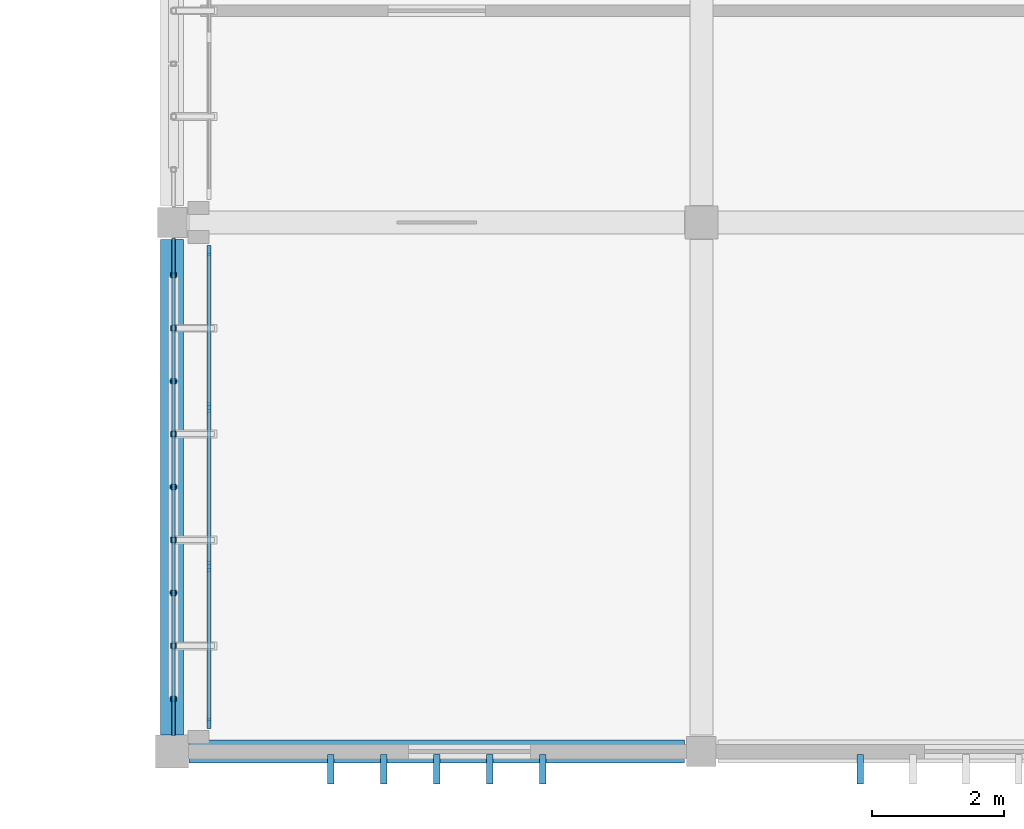
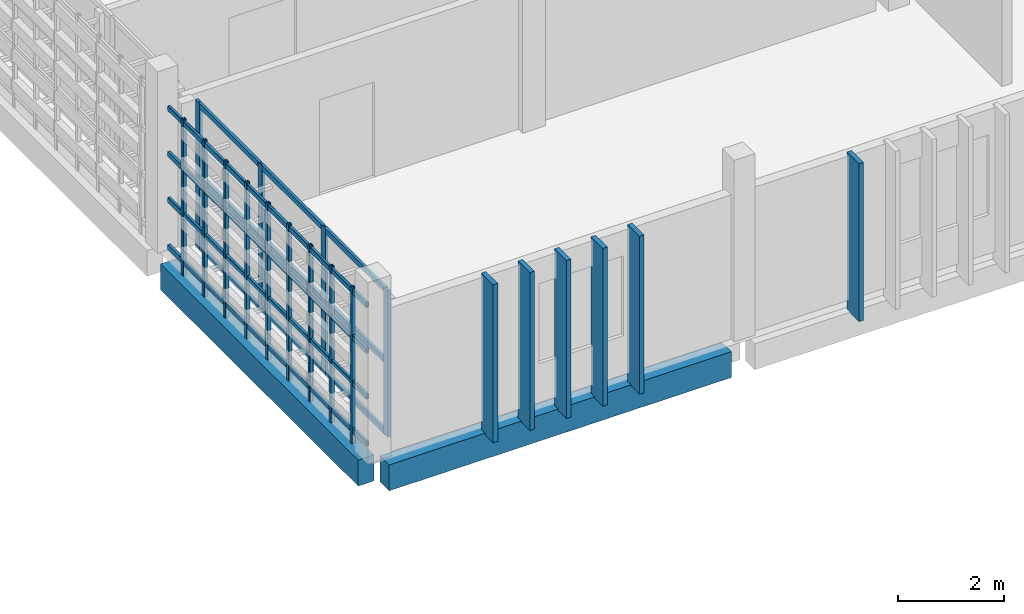
# One storey, part 6 of 32: 32 members, 2 beams, 1 element without a shape of its own.
"""IFC4 building model written with IfcOpenShell, lengths in metres."""

from ifc_helpers import new_model, si_unit, direction, frame, origin, origin_2d, place, context, subcontext, project, spatial, rectangle, hollow_rectangle, extrude, material, layer, layer_set, material_profile, profile_set, type_object, element, aggregate, save


model = new_model("IFC4")

# Units and contexts
model_context = context("Model", 3, precision=1e-05, world=origin(), true_north=direction((0.0, 1.0)))
body_context = subcontext(model_context, "Body", "Model", "MODEL_VIEW")
ifc_project = project(units=[si_unit("LENGTHUNIT", "METRE"), si_unit("AREAUNIT", "SQUARE_METRE"), si_unit("VOLUMEUNIT", "CUBIC_METRE"), si_unit("PLANEANGLEUNIT", "RADIAN"), si_unit("MASSUNIT", "GRAM", prefix="KILO")], contexts=[model_context])

# Site, building, storey
site_placement = place(None, origin())
site = spatial("IfcSite", under=ifc_project, at=site_placement, CompositionType="ELEMENT")
building_placement = place(site_placement, origin())
building = spatial("IfcBuilding", under=site, at=building_placement, Name="Jelvoka-Kovrelna Polytechnic", CompositionType="ELEMENT")
storey_placement = place(building_placement, frame((0.0, 0.0, 26.39990234375)))
storey = spatial("IfcBuildingStorey", under=building, at=storey_placement, Name="L07", CompositionType="ELEMENT", Elevation=26.39990234375)

# Beam
ifc_material_1 = material(Name="Concrete C35/45", Category="concrete")
ifc_material_profile_1 = material_profile(ifc_material_1, rectangle(XDim=0.35009765625, YDim=0.60009765625, at=origin_2d()), Name="RC 350x600")
ifc_profile_set_1 = profile_set([ifc_material_profile_1], Name="Concrete C35/45")
beam_type_1 = type_object("IfcBeamType", Name="Beam_RC_350x600", PredefinedType="BEAM", material=ifc_profile_set_1)
beam_1_placement = place(storey_placement, frame((128.0, 32.2548828125, -0.539794921875), z_axis=(0.0, 1.0, 0.0), x_axis=(-1.0, 0.0, 0.0)))
element("IfcBeam", 1, at=beam_1_placement, inside=storey, type_object=beam_type_1, Name="L07 beam 1811", PredefinedType="BEAM", context=body_context, shape_type="SweptSolid", body=[
    extrude(rectangle(XDim=0.35009765625, YDim=0.60009765625, at=origin_2d()), origin(), (0.0, 0.0, 1.0), 7.490234375),
])

# Members
ifc_material_2 = material(Name="Precast concrete C40/50", Category="concrete")
ifc_material_profile_2 = material_profile(ifc_material_2, rectangle(XDim=0.10009765625, YDim=0.449951171875, at=origin_2d()), Name="PC 100x450")
ifc_profile_set_2 = profile_set([ifc_material_profile_2], Name="Precast concrete C40/50")
member_type_1 = type_object("IfcMemberType", Name="Louvre_Fin_100x450", PredefinedType="USERDEFINED", material=ifc_profile_set_2)
for number, where, z_axis, x_axis, name in (
    (2, (130.39990234375, 31.735107421875, -0.27001953125), (0.0, 0.0, 1.0), (1.0, 0.0, 0.0), "L07 B2E south vertical solar louvre fin 1151"),
    (3, (131.199951171875, 31.735107421875, -0.27001953125), (0.0, 0.0, 1.0), (1.0, 0.0, 0.0), "L07 B2E south vertical solar louvre fin 1152"),
    (4, (132.0, 31.735107421875, -0.27001953125), (0.0, 0.0, 1.0), (1.0, 0.0, 0.0), "L07 B2E south vertical solar louvre fin 1153"),
    (5, (132.800048828125, 31.735107421875, -0.27001953125), (0.0, 0.0, 1.0), (1.0, 0.0, 0.0), "L07 B2E south vertical solar louvre fin 1154"),
    (6, (133.60009765625, 31.735107421875, -0.27001953125), (0.0, 0.0, 1.0), (1.0, 0.0, 0.0), "L07 B2E south vertical solar louvre fin 1155"),
    (7, (138.39990234375, 31.735107421875, -0.27001953125), (0.0, 0.0, 1.0), (1.0, 0.0, 0.0), "L07 B2E south vertical solar louvre fin 1161"),
):
    element("IfcMember", number, at=place(storey_placement, frame(where, z_axis=z_axis, x_axis=x_axis)), inside=storey, type_object=member_type_1, Name=name, ObjectType="SUNSHADE", PredefinedType="USERDEFINED", context=body_context, shape_type="SweptSolid", body=[
        extrude(rectangle(XDim=0.10009765625, YDim=0.449951171875, at=origin_2d()), origin(), (0.0, 0.0, 1.0), 3.655029296875),
    ])
ifc_material_3 = material(Name="Structural steel S355J2H", Category="steel")
ifc_material_profile_3 = material_profile(ifc_material_3, hollow_rectangle(XDim=0.06005859375, YDim=0.1201171875, WallThickness=0.0048828125, InnerFilletRadius=0.0048828125, OuterFilletRadius=0.007568359375, at=origin_2d()), Name="120x60x5.0 RHS")
ifc_profile_set_3 = profile_set([ifc_material_profile_3], Name="Structural steel S355J2H")
member_type_2 = type_object("IfcMemberType", Name="Member_Strut_RHS120", PredefinedType="STRUT", material=ifc_profile_set_3)
for number, where, z_axis, x_axis, name in (
    (8, (128.02001953125, 32.239990234375, 0.080078125), (0.0, 1.0, 0.0), (-1.0, 0.0, 0.0), "L07 terracotta screen horizontal strut 0586"),
    (9, (128.02001953125, 32.239990234375, 1.17138671875), (0.0, 1.0, 0.0), (-1.0, 0.0, 0.0), "L07 terracotta screen horizontal strut 0587"),
    (10, (128.02001953125, 32.239990234375, 2.230712890625), (0.0, 1.0, 0.0), (-1.0, 0.0, 0.0), "L07 terracotta screen horizontal strut 0588"),
    (11, (128.02001953125, 32.239990234375, 3.2900390625), (0.0, 1.0, 0.0), (-1.0, 0.0, 0.0), "L07 terracotta screen horizontal strut 0589"),
):
    element("IfcMember", number, at=place(storey_placement, frame(where, z_axis=z_axis, x_axis=x_axis)), inside=storey, type_object=member_type_2, Name=name, PredefinedType="STRUT", context=body_context, shape_type="SweptSolid", body=[
        extrude(hollow_rectangle(XDim=0.06005859375, YDim=0.1201171875, WallThickness=0.0048828125, InnerFilletRadius=0.0048828125, OuterFilletRadius=0.007568359375, at=origin_2d()), origin(), (0.0, 0.0, 1.0), 7.52001953125),
    ])
ifc_material_4 = material(Name="Structural steel S355J2H", Category="steel")
ifc_material_profile_4 = material_profile(ifc_material_4, hollow_rectangle(XDim=0.080078125, YDim=0.080078125, WallThickness=0.0048828125, InnerFilletRadius=0.0048828125, OuterFilletRadius=0.007568359375, at=origin_2d()), Name="80x80x5.0 SHS")
ifc_profile_set_4 = profile_set([ifc_material_profile_4], Name="Structural steel S355J2H")
member_type_3 = type_object("IfcMemberType", Name="Member_Strut_SHS80", PredefinedType="STRUT", material=ifc_profile_set_4)
for number, where, z_axis, x_axis, name in (
    (12, (128.02001953125, 32.800048828125, -0.22998046875), (0.0, 0.0, 1.0), (1.0, 0.0, 0.0), "L07 terracotta lattice vertical rib 0590"),
    (13, (128.02001953125, 33.60009765625, -0.22998046875), (0.0, 0.0, 1.0), (1.0, 0.0, 0.0), "L07 terracotta lattice vertical rib 0591"),
    (14, (128.02001953125, 34.39990234375, -0.22998046875), (0.0, 0.0, 1.0), (1.0, 0.0, 0.0), "L07 terracotta lattice vertical rib 0592"),
    (15, (128.02001953125, 35.199951171875, -0.22998046875), (0.0, 0.0, 1.0), (1.0, 0.0, 0.0), "L07 terracotta lattice vertical rib 0593"),
    (16, (128.02001953125, 36.0, -0.22998046875), (0.0, 0.0, 1.0), (1.0, 0.0, 0.0), "L07 terracotta lattice vertical rib 0594"),
    (17, (128.02001953125, 36.800048828125, -0.22998046875), (0.0, 0.0, 1.0), (1.0, 0.0, 0.0), "L07 terracotta lattice vertical rib 0595"),
    (18, (128.02001953125, 37.60009765625, -0.22998046875), (0.0, 0.0, 1.0), (1.0, 0.0, 0.0), "L07 terracotta lattice vertical rib 0596"),
    (19, (128.02001953125, 38.39990234375, -0.22998046875), (0.0, 0.0, 1.0), (1.0, 0.0, 0.0), "L07 terracotta lattice vertical rib 0597"),
    (20, (128.02001953125, 39.199951171875, -0.22998046875), (0.0, 0.0, 1.0), (1.0, 0.0, 0.0), "L07 terracotta lattice vertical rib 0598"),
):
    element("IfcMember", number, at=place(storey_placement, frame(where, z_axis=z_axis, x_axis=x_axis)), inside=storey, type_object=member_type_3, Name=name, PredefinedType="STRUT", context=body_context, shape_type="SweptSolid", body=[
        extrude(hollow_rectangle(XDim=0.080078125, YDim=0.080078125, WallThickness=0.0048828125, InnerFilletRadius=0.0048828125, OuterFilletRadius=0.007568359375, at=origin_2d()), origin(), (0.0, 0.0, 1.0), 3.610107421875),
    ])

# Curtain wall, members
ifc_material_5 = material(Name="Anodised aluminium 6063-T6", Category="aluminium")
ifc_layer = layer(ifc_material_5, 0.159912109375)
ifc_layer_set = layer_set([ifc_layer], Name="Anodised aluminium 6063-T6")
curtain_wall_type = type_object("IfcCurtainWallType", Name="CW_Recessed_A", PredefinedType="NOTDEFINED", material=ifc_layer_set)
curtain_wall_placement = place(storey_placement, origin())
curtain_wall = element("IfcCurtainWall", 21, at=curtain_wall_placement, inside=storey, type_object=curtain_wall_type, Name="L07 glazed curtain wall 078", PredefinedType="NOTDEFINED")
ifc_material_6 = material(Name="Anodised aluminium 6063-T6", Category="aluminium")
ifc_material_profile_5 = material_profile(ifc_material_6, rectangle(XDim=0.06005859375, YDim=0.159912109375, at=origin_2d()), Name="ALU 60x160")
ifc_profile_set_5 = profile_set([ifc_material_profile_5], Name="Anodised aluminium 6063-T6")
member_type_4 = type_object("IfcMemberType", Name="Mullion_M-01", PredefinedType="MULLION", material=ifc_profile_set_5)
member_1_placement = place(storey_placement, frame((128.56005859375, 32.429931640625, -0.02490234375), z_axis=(0.0, 0.0, 1.0), x_axis=(-1.0, 0.0, 0.0)))
member_1 = element("IfcMember", 22, at=member_1_placement, type_object=member_type_4, Name="CW-01 mullion 1", PredefinedType="MULLION", context=body_context, shape_type="SweptSolid", body=[
    extrude(rectangle(XDim=0.06005859375, YDim=0.159912109375, at=origin_2d()), origin(), (0.0, 0.0, 1.0), 3.400146484375),
])
member_2_placement = place(storey_placement, frame((128.56005859375, 34.800048828125, -0.02490234375), z_axis=(0.0, 0.0, 1.0), x_axis=(-1.0, 0.0, 0.0)))
member_2 = element("IfcMember", 23, at=member_2_placement, type_object=member_type_4, Name="CW-01 mullion 2", PredefinedType="MULLION", context=body_context, shape_type="SweptSolid", body=[
    extrude(rectangle(XDim=0.06005859375, YDim=0.159912109375, at=origin_2d()), origin(), (0.0, 0.0, 1.0), 3.400146484375),
])
member_3_placement = place(storey_placement, frame((128.56005859375, 37.199951171875, -0.02490234375), z_axis=(0.0, 0.0, 1.0), x_axis=(-1.0, 0.0, 0.0)))
member_3 = element("IfcMember", 24, at=member_3_placement, type_object=member_type_4, Name="CW-01 mullion 3", PredefinedType="MULLION", context=body_context, shape_type="SweptSolid", body=[
    extrude(rectangle(XDim=0.06005859375, YDim=0.159912109375, at=origin_2d()), origin(), (0.0, 0.0, 1.0), 3.400146484375),
])
member_4_placement = place(storey_placement, frame((128.56005859375, 39.570068359375, -0.02490234375), z_axis=(0.0, 0.0, 1.0), x_axis=(-1.0, 0.0, 0.0)))
member_4 = element("IfcMember", 25, at=member_4_placement, type_object=member_type_4, Name="CW-01 mullion 4", PredefinedType="MULLION", context=body_context, shape_type="SweptSolid", body=[
    extrude(rectangle(XDim=0.06005859375, YDim=0.159912109375, at=origin_2d()), origin(), (0.0, 0.0, 1.0), 3.400146484375),
])

# Beam
ifc_material_7 = material(Name="Concrete C40/50", Category="concrete")
ifc_material_profile_6 = material_profile(ifc_material_7, rectangle(XDim=0.35009765625, YDim=0.60009765625, at=origin_2d()), Name="RC 350x600")
ifc_profile_set_6 = profile_set([ifc_material_profile_6], Name="Concrete C40/50")
beam_type_2 = type_object("IfcBeamType", Name="Spandrel_RC_350x600", PredefinedType="SPANDREL", material=ifc_profile_set_6)
beam_2_placement = place(storey_placement, frame((128.2548828125, 32.0, -0.539794921875), z_axis=(1.0, 0.0, 0.0), x_axis=(0.0, 1.0, 0.0)))
element("IfcBeam", 26, at=beam_2_placement, inside=storey, type_object=beam_type_2, Name="L07 beam 1791", PredefinedType="SPANDREL", context=body_context, shape_type="SweptSolid", body=[
    extrude(rectangle(XDim=0.35009765625, YDim=0.60009765625, at=origin_2d()), origin(), (0.0, 0.0, 1.0), 7.490234375),
])

# Member
ifc_material_8 = material(Name="Anodised aluminium 6063-T6", Category="aluminium")
ifc_material_profile_7 = material_profile(ifc_material_8, rectangle(XDim=0.06005859375, YDim=0.1201171875, at=origin_2d()), Name="ALU 60x120")
ifc_profile_set_7 = profile_set([ifc_material_profile_7], Name="Anodised aluminium 6063-T6")
member_type_5 = type_object("IfcMemberType", Name="Transom_T-01", PredefinedType="USERDEFINED", material=ifc_profile_set_7)
member_5_placement = place(storey_placement, frame((128.56005859375, 32.4599609375, 0.030029296875), z_axis=(0.0, 1.0, 0.0), x_axis=(-1.0, 0.0, 0.0)))
member_5 = element("IfcMember", 27, at=member_5_placement, type_object=member_type_5, Name="CW-01 transom 1.1", ObjectType="TRANSOM", PredefinedType="USERDEFINED", context=body_context, shape_type="SweptSolid", body=[
    extrude(rectangle(XDim=0.06005859375, YDim=0.1201171875, at=origin_2d()), origin(), (0.0, 0.0, 1.0), 2.31005859375),
])

member_6_placement = place(storey_placement, frame((128.56005859375, 32.4599609375, 1.675048828125), z_axis=(0.0, 1.0, 0.0), x_axis=(-1.0, 0.0, 0.0)))
member_6 = element("IfcMember", 28, at=member_6_placement, type_object=member_type_5, Name="CW-01 transom 1.2", ObjectType="TRANSOM", PredefinedType="USERDEFINED", context=body_context, shape_type="SweptSolid", body=[
    extrude(rectangle(XDim=0.06005859375, YDim=0.1201171875, at=origin_2d()), origin(), (0.0, 0.0, 1.0), 2.31005859375),
])

member_7_placement = place(storey_placement, frame((128.56005859375, 32.4599609375, 3.320068359375), z_axis=(0.0, 1.0, 0.0), x_axis=(-1.0, 0.0, 0.0)))
member_7 = element("IfcMember", 29, at=member_7_placement, type_object=member_type_5, Name="CW-01 transom 1.3", ObjectType="TRANSOM", PredefinedType="USERDEFINED", context=body_context, shape_type="SweptSolid", body=[
    extrude(rectangle(XDim=0.06005859375, YDim=0.1201171875, at=origin_2d()), origin(), (0.0, 0.0, 1.0), 2.31005859375),
])

member_8_placement = place(storey_placement, frame((128.56005859375, 34.830078125, 0.030029296875), z_axis=(0.0, 1.0, 0.0), x_axis=(-1.0, 0.0, 0.0)))
member_8 = element("IfcMember", 30, at=member_8_placement, type_object=member_type_5, Name="CW-01 transom 2.1", ObjectType="TRANSOM", PredefinedType="USERDEFINED", context=body_context, shape_type="SweptSolid", body=[
    extrude(rectangle(XDim=0.06005859375, YDim=0.1201171875, at=origin_2d()), origin(), (0.0, 0.0, 1.0), 2.33984375),
])

member_9_placement = place(storey_placement, frame((128.56005859375, 34.830078125, 1.675048828125), z_axis=(0.0, 1.0, 0.0), x_axis=(-1.0, 0.0, 0.0)))
member_9 = element("IfcMember", 31, at=member_9_placement, type_object=member_type_5, Name="CW-01 transom 2.2", ObjectType="TRANSOM", PredefinedType="USERDEFINED", context=body_context, shape_type="SweptSolid", body=[
    extrude(rectangle(XDim=0.06005859375, YDim=0.1201171875, at=origin_2d()), origin(), (0.0, 0.0, 1.0), 2.33984375),
])

member_10_placement = place(storey_placement, frame((128.56005859375, 34.830078125, 3.320068359375), z_axis=(0.0, 1.0, 0.0), x_axis=(-1.0, 0.0, 0.0)))
member_10 = element("IfcMember", 32, at=member_10_placement, type_object=member_type_5, Name="CW-01 transom 2.3", ObjectType="TRANSOM", PredefinedType="USERDEFINED", context=body_context, shape_type="SweptSolid", body=[
    extrude(rectangle(XDim=0.06005859375, YDim=0.1201171875, at=origin_2d()), origin(), (0.0, 0.0, 1.0), 2.33984375),
])

member_11_placement = place(storey_placement, frame((128.56005859375, 37.22998046875, 0.030029296875), z_axis=(0.0, 1.0, 0.0), x_axis=(-1.0, 0.0, 0.0)))
member_11 = element("IfcMember", 33, at=member_11_placement, type_object=member_type_5, Name="CW-01 transom 3.1", ObjectType="TRANSOM", PredefinedType="USERDEFINED", context=body_context, shape_type="SweptSolid", body=[
    extrude(rectangle(XDim=0.06005859375, YDim=0.1201171875, at=origin_2d()), origin(), (0.0, 0.0, 1.0), 2.31005859375),
])

member_12_placement = place(storey_placement, frame((128.56005859375, 37.22998046875, 1.675048828125), z_axis=(0.0, 1.0, 0.0), x_axis=(-1.0, 0.0, 0.0)))
member_12 = element("IfcMember", 34, at=member_12_placement, type_object=member_type_5, Name="CW-01 transom 3.2", ObjectType="TRANSOM", PredefinedType="USERDEFINED", context=body_context, shape_type="SweptSolid", body=[
    extrude(rectangle(XDim=0.06005859375, YDim=0.1201171875, at=origin_2d()), origin(), (0.0, 0.0, 1.0), 2.31005859375),
])

member_13_placement = place(storey_placement, frame((128.56005859375, 37.22998046875, 3.320068359375), z_axis=(0.0, 1.0, 0.0), x_axis=(-1.0, 0.0, 0.0)))
member_13 = element("IfcMember", 35, at=member_13_placement, type_object=member_type_5, Name="CW-01 transom 3.3", ObjectType="TRANSOM", PredefinedType="USERDEFINED", context=body_context, shape_type="SweptSolid", body=[
    extrude(rectangle(XDim=0.06005859375, YDim=0.1201171875, at=origin_2d()), origin(), (0.0, 0.0, 1.0), 2.31005859375),
])

aggregate(curtain_wall, [member_1, member_2, member_3, member_4, member_5, member_6, member_7, member_8, member_9, member_10, member_11, member_12, member_13])

save(model, "model.ifc")
